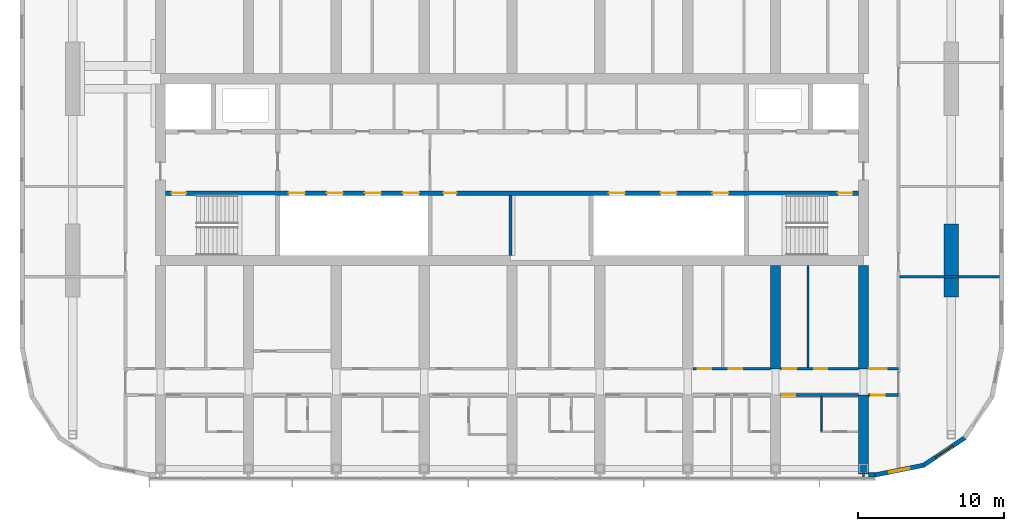
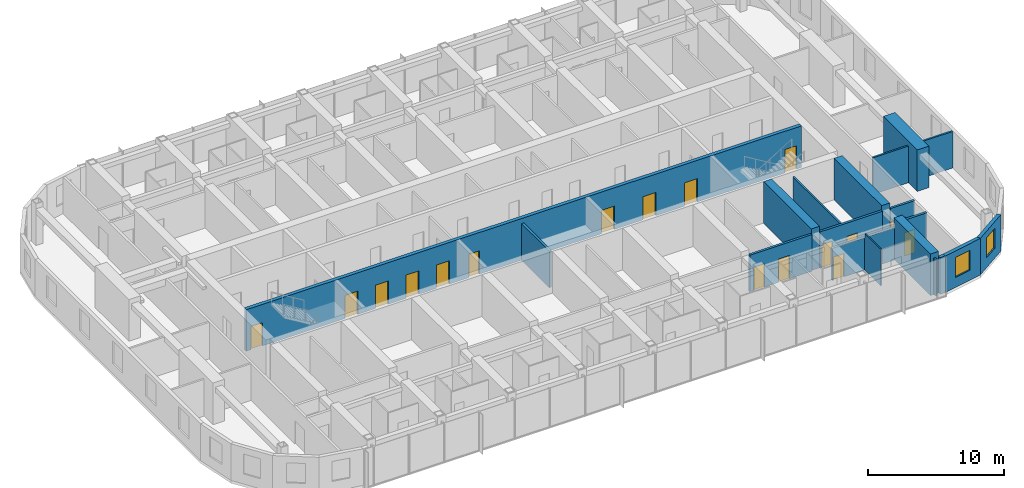
# One storey, part 13 of 23: 18 walls, 17 doors, 2 windows, 19 openings.
"""IFC4 building model written with IfcOpenShell, lengths in metres."""

from ifc_helpers import new_model, si_unit, direction, frame, frame_2d, origin, place, context, subcontext, project, spatial, polyline, rectangle, outline, extrude, material, layer, layer_set, type_object, element, fill, save


model = new_model("IFC4")

# Units and contexts
model_context = context("Model", 3, precision=1e-05, world=origin(), true_north=direction((0.0, 1.0)))
body_context = subcontext(model_context, "Body", "Model", "MODEL_VIEW")
ifc_project = project(units=[si_unit("LENGTHUNIT", "METRE"), si_unit("AREAUNIT", "SQUARE_METRE"), si_unit("VOLUMEUNIT", "CUBIC_METRE"), si_unit("PLANEANGLEUNIT", "RADIAN"), si_unit("MASSUNIT", "GRAM", prefix="KILO")], contexts=[model_context])

# Site, building, storey
site_placement = place(None, origin())
site = spatial("IfcSite", under=ifc_project, at=site_placement, CompositionType="ELEMENT")
building_placement = place(site_placement, origin())
building = spatial("IfcBuilding", under=site, at=building_placement, Name="Orbita Commons", CompositionType="ELEMENT")
storey_placement = place(building_placement, frame((0.0, 0.0, 212.800048828125)))
storey = spatial("IfcBuildingStorey", under=building, at=storey_placement, Name="L52", CompositionType="ELEMENT", Elevation=212.800048828125)

# Wall, openings, doors
ifc_material_1 = material(Name="Concrete C50/60", Category="concrete")
ifc_layer_1 = layer(ifc_material_1, 0.300048828125)
ifc_layer_set_1 = layer_set([ifc_layer_1], Name="Concrete C50/60")
wall_type_1 = type_object("IfcWallType", Name="Core inner wall 300 C50/60", PredefinedType="SHEAR", material=ifc_layer_set_1)
wall_1_placement = place(storey_placement, frame((18.35009765625, 30.39990234375, 0.0), z_axis=(0.0, 0.0, 1.0), x_axis=(1.0, 0.0, 0.0)))
wall_1 = element("IfcWall", 1, at=wall_1_placement, inside=storey, type_object=wall_type_1, Name="Lobby wall south L52", PredefinedType="SHEAR", context=body_context, shape_type="SweptSolid", body=[
    extrude(rectangle(XDim=47.2998046875, YDim=0.300048828125, at=frame_2d((23.64990234375, 0.0))), origin(), (0.0, 0.0, 1.0), 3.75),
])
opening_1_placement = place(wall_1_placement, frame((0.39990234375, 0.0, 0.0)))
opening_1 = element("IfcOpeningElement", 2, at=opening_1_placement, cuts=wall_1, Name="Opening D02", PredefinedType="OPENING", context=body_context, shape_type="SweptSolid", body=[
    extrude(rectangle(XDim=1.0, YDim=2.10009765625, at=frame_2d((0.5, 1.050048828125))), frame((0.0, 0.159912109375, 0.0), z_axis=(0.0, -1.0, 0.0), x_axis=(1.0, 0.0, 0.0)), (0.0, 0.0, 1.0), 0.320068359375),
])
opening_2_placement = place(wall_1_placement, frame((45.89990234375, 0.0, 0.0)))
opening_2 = element("IfcOpeningElement", 3, at=opening_2_placement, cuts=wall_1, Name="Opening D02", PredefinedType="OPENING", context=body_context, shape_type="SweptSolid", body=[
    extrude(rectangle(XDim=1.0, YDim=2.10009765625, at=frame_2d((0.5, 1.050048828125))), frame((0.0, 0.159912109375, 0.0), z_axis=(0.0, -1.0, 0.0), x_axis=(1.0, 0.0, 0.0)), (0.0, 0.0, 1.0), 0.320068359375),
])
opening_3_placement = place(wall_1_placement, frame((8.39990234375, 0.0, 0.0)))
opening_3 = element("IfcOpeningElement", 4, at=opening_3_placement, cuts=wall_1, Name="Opening LD02", PredefinedType="OPENING", context=body_context, shape_type="SweptSolid", body=[
    extrude(rectangle(XDim=1.10009765625, YDim=2.10009765625, at=frame_2d((0.550048828125, 1.050048828125))), frame((0.0, 0.159912109375, 0.0), z_axis=(0.0, -1.0, 0.0), x_axis=(1.0, 0.0, 0.0)), (0.0, 0.0, 1.0), 0.320068359375),
])
opening_4_placement = place(wall_1_placement, frame((11.0, 0.0, 0.0)))
opening_4 = element("IfcOpeningElement", 5, at=opening_4_placement, cuts=wall_1, Name="Opening LD02", PredefinedType="OPENING", context=body_context, shape_type="SweptSolid", body=[
    extrude(rectangle(XDim=1.10009765625, YDim=2.10009765625, at=frame_2d((0.550048828125, 1.050048828125))), frame((0.0, 0.159912109375, 0.0), z_axis=(0.0, -1.0, 0.0), x_axis=(1.0, 0.0, 0.0)), (0.0, 0.0, 1.0), 0.320068359375),
])
opening_5_placement = place(wall_1_placement, frame((13.60009765625, 0.0, 0.0)))
opening_5 = element("IfcOpeningElement", 6, at=opening_5_placement, cuts=wall_1, Name="Opening LD02", PredefinedType="OPENING", context=body_context, shape_type="SweptSolid", body=[
    extrude(rectangle(XDim=1.10009765625, YDim=2.10009765625, at=frame_2d((0.550048828125, 1.050048828125))), frame((0.0, 0.159912109375, 0.0), z_axis=(0.0, -1.0, 0.0), x_axis=(1.0, 0.0, 0.0)), (0.0, 0.0, 1.0), 0.320068359375),
])
opening_6_placement = place(wall_1_placement, frame((16.199951171875, 0.0, 0.0)))
opening_6 = element("IfcOpeningElement", 7, at=opening_6_placement, cuts=wall_1, Name="Opening LD02", PredefinedType="OPENING", context=body_context, shape_type="SweptSolid", body=[
    extrude(rectangle(XDim=1.10009765625, YDim=2.10009765625, at=frame_2d((0.550048828125, 1.050048828125))), frame((0.0, 0.159912109375, 0.0), z_axis=(0.0, -1.0, 0.0), x_axis=(1.0, 0.0, 0.0)), (0.0, 0.0, 1.0), 0.320068359375),
])
opening_7_placement = place(wall_1_placement, frame((18.97509765625, 0.0, 0.0)))
opening_7 = element("IfcOpeningElement", 8, at=opening_7_placement, cuts=wall_1, Name="Opening D05", PredefinedType="OPENING", context=body_context, shape_type="SweptSolid", body=[
    extrude(rectangle(XDim=0.89990234375, YDim=2.10009765625, at=frame_2d((0.449951171875, 1.050048828125))), frame((0.0, 0.159912109375, 0.0), z_axis=(0.0, -1.0, 0.0), x_axis=(1.0, 0.0, 0.0)), (0.0, 0.0, 1.0), 0.320068359375),
])
opening_8_placement = place(wall_1_placement, frame((30.2666015625, 0.0, 0.0)))
opening_8 = element("IfcOpeningElement", 9, at=opening_8_placement, cuts=wall_1, Name="Opening LD02", PredefinedType="OPENING", context=body_context, shape_type="SweptSolid", body=[
    extrude(rectangle(XDim=1.10009765625, YDim=2.10009765625, at=frame_2d((0.550048828125, 1.050048828125))), frame((0.0, 0.159912109375, 0.0), z_axis=(0.0, -1.0, 0.0), x_axis=(1.0, 0.0, 0.0)), (0.0, 0.0, 1.0), 0.320068359375),
])
opening_9_placement = place(wall_1_placement, frame((33.800048828125, 0.0, 0.0)))
opening_9 = element("IfcOpeningElement", 10, at=opening_9_placement, cuts=wall_1, Name="Opening LD02", PredefinedType="OPENING", context=body_context, shape_type="SweptSolid", body=[
    extrude(rectangle(XDim=1.10009765625, YDim=2.10009765625, at=frame_2d((0.550048828125, 1.050048828125))), frame((0.0, 0.159912109375, 0.0), z_axis=(0.0, -1.0, 0.0), x_axis=(1.0, 0.0, 0.0)), (0.0, 0.0, 1.0), 0.320068359375),
])
opening_10_placement = place(wall_1_placement, frame((37.333251953125, 0.0, 0.0)))
opening_10 = element("IfcOpeningElement", 11, at=opening_10_placement, cuts=wall_1, Name="Opening LD02", PredefinedType="OPENING", context=body_context, shape_type="SweptSolid", body=[
    extrude(rectangle(XDim=1.10009765625, YDim=2.10009765625, at=frame_2d((0.550048828125, 1.050048828125))), frame((0.0, 0.159912109375, 0.0), z_axis=(0.0, -1.0, 0.0), x_axis=(1.0, 0.0, 0.0)), (0.0, 0.0, 1.0), 0.320068359375),
])
ifc_material_2 = material(Name="Steel-faced fire door leaf", Category="steel")
door_type_1 = type_object("IfcDoorType", Name="Fire door 90 min 1000x2100", OperationType="SINGLE_SWING_LEFT", PredefinedType="DOOR", material=ifc_material_2)
door_1_placement = place(opening_1_placement, origin())
door_1 = element("IfcDoor", 12, at=door_1_placement, inside=storey, type_object=door_type_1, Name="Stair S1 door", OperationType="SINGLE_SWING_LEFT", OverallHeight=2.10009765625, OverallWidth=1.0, PredefinedType="DOOR", context=body_context, shape_type="SweptSolid", body=[
    extrude(rectangle(XDim=1.0, YDim=2.10009765625, at=frame_2d((0.5, 1.050048828125))), frame((0.0, 0.02490234375, 0.0), z_axis=(0.0, -1.0, 0.0), x_axis=(1.0, 0.0, 0.0)), (0.0, 0.0, 1.0), 0.050048828125),
])
fill(opening_1, door_1)
door_2_placement = place(opening_2_placement, origin())
door_2 = element("IfcDoor", 13, at=door_2_placement, inside=storey, type_object=door_type_1, Name="Stair S2 door", OperationType="SINGLE_SWING_LEFT", OverallHeight=2.10009765625, OverallWidth=1.0, PredefinedType="DOOR", context=body_context, shape_type="SweptSolid", body=[
    extrude(rectangle(XDim=1.0, YDim=2.10009765625, at=frame_2d((0.5, 1.050048828125))), frame((0.0, 0.02490234375, 0.0), z_axis=(0.0, -1.0, 0.0), x_axis=(1.0, 0.0, 0.0)), (0.0, 0.0, 1.0), 0.050048828125),
])
fill(opening_2, door_2)
ifc_material_3 = material(Name="Steel-faced fire door leaf", Category="steel")
door_type_2 = type_object("IfcDoorType", Name="Lift landing door 1100x2100", OperationType="DOUBLE_DOOR_SLIDING", PredefinedType="DOOR", material=ifc_material_3)
door_3_placement = place(opening_3_placement, origin())
door_3 = element("IfcDoor", 14, at=door_3_placement, inside=storey, type_object=door_type_2, Name="Lift P41 landing door", OperationType="DOUBLE_DOOR_SLIDING", OverallHeight=2.10009765625, OverallWidth=1.10009765625, PredefinedType="DOOR", context=body_context, shape_type="SweptSolid", body=[
    extrude(rectangle(XDim=1.10009765625, YDim=2.10009765625, at=frame_2d((0.550048828125, 1.050048828125))), frame((0.0, 0.02490234375, 0.0), z_axis=(0.0, -1.0, 0.0), x_axis=(1.0, 0.0, 0.0)), (0.0, 0.0, 1.0), 0.050048828125),
])
fill(opening_3, door_3)
door_4_placement = place(opening_4_placement, origin())
door_4 = element("IfcDoor", 15, at=door_4_placement, inside=storey, type_object=door_type_2, Name="Lift P42 landing door", OperationType="DOUBLE_DOOR_SLIDING", OverallHeight=2.10009765625, OverallWidth=1.10009765625, PredefinedType="DOOR", context=body_context, shape_type="SweptSolid", body=[
    extrude(rectangle(XDim=1.10009765625, YDim=2.10009765625, at=frame_2d((0.550048828125, 1.050048828125))), frame((0.0, 0.02490234375, 0.0), z_axis=(0.0, -1.0, 0.0), x_axis=(1.0, 0.0, 0.0)), (0.0, 0.0, 1.0), 0.050048828125),
])
fill(opening_4, door_4)
door_5_placement = place(opening_5_placement, origin())
door_5 = element("IfcDoor", 16, at=door_5_placement, inside=storey, type_object=door_type_2, Name="Lift P43 landing door", OperationType="DOUBLE_DOOR_SLIDING", OverallHeight=2.10009765625, OverallWidth=1.10009765625, PredefinedType="DOOR", context=body_context, shape_type="SweptSolid", body=[
    extrude(rectangle(XDim=1.10009765625, YDim=2.10009765625, at=frame_2d((0.550048828125, 1.050048828125))), frame((0.0, 0.02490234375, 0.0), z_axis=(0.0, -1.0, 0.0), x_axis=(1.0, 0.0, 0.0)), (0.0, 0.0, 1.0), 0.050048828125),
])
fill(opening_5, door_5)
door_6_placement = place(opening_6_placement, origin())
door_6 = element("IfcDoor", 17, at=door_6_placement, inside=storey, type_object=door_type_2, Name="Lift P44 landing door", OperationType="DOUBLE_DOOR_SLIDING", OverallHeight=2.10009765625, OverallWidth=1.10009765625, PredefinedType="DOOR", context=body_context, shape_type="SweptSolid", body=[
    extrude(rectangle(XDim=1.10009765625, YDim=2.10009765625, at=frame_2d((0.550048828125, 1.050048828125))), frame((0.0, 0.02490234375, 0.0), z_axis=(0.0, -1.0, 0.0), x_axis=(1.0, 0.0, 0.0)), (0.0, 0.0, 1.0), 0.050048828125),
])
fill(opening_6, door_6)
door_7_placement = place(opening_8_placement, origin())
door_7 = element("IfcDoor", 18, at=door_7_placement, inside=storey, type_object=door_type_2, Name="Lift SV1 landing door", OperationType="DOUBLE_DOOR_SLIDING", OverallHeight=2.10009765625, OverallWidth=1.10009765625, PredefinedType="DOOR", context=body_context, shape_type="SweptSolid", body=[
    extrude(rectangle(XDim=1.10009765625, YDim=2.10009765625, at=frame_2d((0.550048828125, 1.050048828125))), frame((0.0, 0.02490234375, 0.0), z_axis=(0.0, -1.0, 0.0), x_axis=(1.0, 0.0, 0.0)), (0.0, 0.0, 1.0), 0.050048828125),
])
fill(opening_8, door_7)
door_8_placement = place(opening_9_placement, origin())
door_8 = element("IfcDoor", 19, at=door_8_placement, inside=storey, type_object=door_type_2, Name="Lift SV2 landing door", OperationType="DOUBLE_DOOR_SLIDING", OverallHeight=2.10009765625, OverallWidth=1.10009765625, PredefinedType="DOOR", context=body_context, shape_type="SweptSolid", body=[
    extrude(rectangle(XDim=1.10009765625, YDim=2.10009765625, at=frame_2d((0.550048828125, 1.050048828125))), frame((0.0, 0.02490234375, 0.0), z_axis=(0.0, -1.0, 0.0), x_axis=(1.0, 0.0, 0.0)), (0.0, 0.0, 1.0), 0.050048828125),
])
fill(opening_9, door_8)
door_9_placement = place(opening_10_placement, origin())
door_9 = element("IfcDoor", 20, at=door_9_placement, inside=storey, type_object=door_type_2, Name="Lift SV3 landing door", OperationType="DOUBLE_DOOR_SLIDING", OverallHeight=2.10009765625, OverallWidth=1.10009765625, PredefinedType="DOOR", context=body_context, shape_type="SweptSolid", body=[
    extrude(rectangle(XDim=1.10009765625, YDim=2.10009765625, at=frame_2d((0.550048828125, 1.050048828125))), frame((0.0, 0.02490234375, 0.0), z_axis=(0.0, -1.0, 0.0), x_axis=(1.0, 0.0, 0.0)), (0.0, 0.0, 1.0), 0.050048828125),
])
fill(opening_10, door_9)
ifc_material_4 = material(Name="Steel-faced fire door leaf", Category="steel")
door_type_3 = type_object("IfcDoorType", Name="Service door 20 min 900x2100", OperationType="SINGLE_SWING_LEFT", PredefinedType="DOOR", material=ifc_material_4)
door_10_placement = place(opening_7_placement, origin())
door_10 = element("IfcDoor", 21, at=door_10_placement, inside=storey, type_object=door_type_3, Name="Linen store door", OperationType="SINGLE_SWING_LEFT", OverallHeight=2.10009765625, OverallWidth=0.89990234375, PredefinedType="DOOR", context=body_context, shape_type="SweptSolid", body=[
    extrude(rectangle(XDim=0.89990234375, YDim=2.10009765625, at=frame_2d((0.449951171875, 1.050048828125))), frame((0.0, 0.02490234375, 0.0), z_axis=(0.0, -1.0, 0.0), x_axis=(1.0, 0.0, 0.0)), (0.0, 0.0, 1.0), 0.050048828125),
])
fill(opening_7, door_10)

# Wall, opening, door
ifc_material_5 = material(Name="Concrete blockwork", Category="masonry")
ifc_layer_2 = layer(ifc_material_5, 0.199951171875)
ifc_layer_set_2 = layer_set([ifc_layer_2], Name="Concrete blockwork")
wall_type_2 = type_object("IfcWallType", Name="Corridor wall 200 blockwork", PredefinedType="SOLIDWALL", material=ifc_layer_set_2)
wall_2_placement = place(storey_placement, frame((60.35009765625, 16.60009765625, 0.0), z_axis=(0.0, 0.0, 1.0), x_axis=(1.0, 0.0, 0.0)))
wall_2 = element("IfcWall", 22, at=wall_2_placement, inside=storey, type_object=wall_type_2, Name="Corridor wall 200 blockwork L52", PredefinedType="SOLIDWALL", context=body_context, shape_type="SweptSolid", body=[
    extrude(outline(polyline([(0.0, 0.0), (5.2998046875, 0.0), (5.300048828125, 2.89990234375), (0.0, 2.89990234375), (0.0, 0.0)])), frame((0.0, 0.10009765625, 0.0), z_axis=(0.0, -1.0, 0.0), x_axis=(1.0, 0.0, 0.0)), (0.0, 0.0, 1.0), 0.199951171875),
])
opening_11_placement = place(wall_2_placement, frame((0.10009765625, 0.0, 0.0)))
opening_11 = element("IfcOpeningElement", 23, at=opening_11_placement, cuts=wall_2, Name="Opening D11", PredefinedType="OPENING", context=body_context, shape_type="SweptSolid", body=[
    extrude(rectangle(XDim=0.89990234375, YDim=2.10009765625, at=frame_2d((0.449951171875, 1.050048828125))), frame((0.0, 0.10986328125, 0.0), z_axis=(0.0, -1.0, 0.0), x_axis=(1.0, 0.0, 0.0)), (0.0, 0.0, 1.0), 0.219970703125),
])
ifc_material_6 = material(Name="Steel-faced fire door leaf", Category="steel")
door_type_4 = type_object("IfcDoorType", Name="Corridor door 20 min 900x2100", OperationType="SINGLE_SWING_LEFT", PredefinedType="DOOR", material=ifc_material_6)
door_11_placement = place(opening_11_placement, origin())
door_11 = element("IfcDoor", 24, at=door_11_placement, inside=storey, type_object=door_type_4, Name="Studio apartment with kitchenette L52-S14 door", OperationType="SINGLE_SWING_LEFT", OverallHeight=2.10009765625, OverallWidth=0.89990234375, PredefinedType="DOOR", context=body_context, shape_type="SweptSolid", body=[
    extrude(rectangle(XDim=0.89990234375, YDim=2.10009765625, at=frame_2d((0.449951171875, 1.050048828125))), frame((0.0, 0.02490234375, 0.0), z_axis=(0.0, -1.0, 0.0), x_axis=(1.0, 0.0, 0.0)), (0.0, 0.0, 1.0), 0.050048828125),
])
fill(opening_11, door_11)

wall_3_placement = place(storey_placement, frame((66.35009765625, 16.60009765625, 0.0), z_axis=(0.0, 0.0, 1.0), x_axis=(1.0, 0.0, 0.0)))
wall_3 = element("IfcWall", 25, at=wall_3_placement, inside=storey, type_object=wall_type_2, Name="Corridor wall 200 blockwork L52", PredefinedType="SOLIDWALL", context=body_context, shape_type="SweptSolid", body=[
    extrude(rectangle(XDim=2.0498046875, YDim=0.199951171875, at=frame_2d((1.02490234375, 0.0))), origin(), (0.0, 0.0, 1.0), 3.300048828125),
])
opening_12_placement = place(wall_3_placement, frame((0.199951171875, 0.0, 0.0)))
opening_12 = element("IfcOpeningElement", 26, at=opening_12_placement, cuts=wall_3, Name="Opening D05", PredefinedType="OPENING", context=body_context, shape_type="SweptSolid", body=[
    extrude(rectangle(XDim=0.89990234375, YDim=2.10009765625, at=frame_2d((0.449951171875, 1.050048828125))), frame((0.0, 0.10986328125, 0.0), z_axis=(0.0, -1.0, 0.0), x_axis=(1.0, 0.0, 0.0)), (0.0, 0.0, 1.0), 0.219970703125),
])
door_12_placement = place(opening_12_placement, origin())
door_12 = element("IfcDoor", 27, at=door_12_placement, inside=storey, type_object=door_type_3, Name="Linen store L52-KES door", OperationType="SINGLE_SWING_LEFT", OverallHeight=2.10009765625, OverallWidth=0.89990234375, PredefinedType="DOOR", context=body_context, shape_type="SweptSolid", body=[
    extrude(rectangle(XDim=0.89990234375, YDim=2.10009765625, at=frame_2d((0.449951171875, 1.050048828125))), frame((0.0, 0.02490234375, 0.0), z_axis=(0.0, -1.0, 0.0), x_axis=(1.0, 0.0, 0.0)), (0.0, 0.0, 1.0), 0.050048828125),
])
fill(opening_12, door_12)

# Wall, openings, doors
ifc_material_7 = material(Name="Hollow concrete block 200", Category="concrete")
ifc_layer_3 = layer(ifc_material_7, 0.199951171875)
ifc_layer_set_3 = layer_set([ifc_layer_3], Name="Hollow concrete block 200")
wall_type_3 = type_object("IfcWallType", Name="Corridor wall 200 hollow concrete block", PredefinedType="SOLIDWALL", material=ifc_layer_set_3)
wall_4_placement = place(storey_placement, frame((54.35009765625, 18.39990234375, 0.0), z_axis=(0.0, 0.0, 1.0), x_axis=(1.0, 0.0, 0.0)))
wall_4 = element("IfcWall", 28, at=wall_4_placement, inside=storey, type_object=wall_type_3, Name="Corridor wall 200 hollow concrete block L52", PredefinedType="SOLIDWALL", context=body_context, shape_type="SweptSolid", body=[
    extrude(rectangle(XDim=5.2998046875, YDim=0.199951171875, at=frame_2d((2.64990234375, 0.0))), origin(), (0.0, 0.0, 1.0), 3.300048828125),
])
opening_13_placement = place(wall_4_placement, frame((0.35009765625, 0.0, 0.0)))
opening_13 = element("IfcOpeningElement", 29, at=opening_13_placement, cuts=wall_4, Name="Opening D11", PredefinedType="OPENING", context=body_context, shape_type="SweptSolid", body=[
    extrude(rectangle(XDim=0.89990234375, YDim=2.10009765625, at=frame_2d((0.449951171875, 1.050048828125))), frame((0.0, 0.10986328125, 0.0), z_axis=(0.0, -1.0, 0.0), x_axis=(1.0, 0.0, 0.0)), (0.0, 0.0, 1.0), 0.219970703125),
])
opening_14_placement = place(wall_4_placement, frame((2.465087890625, 0.0, 0.0)))
opening_14 = element("IfcOpeningElement", 30, at=opening_14_placement, cuts=wall_4, Name="Opening D11", PredefinedType="OPENING", context=body_context, shape_type="SweptSolid", body=[
    extrude(rectangle(XDim=0.89990234375, YDim=2.10009765625, at=frame_2d((0.449951171875, 1.050048828125))), frame((0.0, 0.10986328125, 0.0), z_axis=(0.0, -1.0, 0.0), x_axis=(1.0, 0.0, 0.0)), (0.0, 0.0, 1.0), 0.219970703125),
])
door_13_placement = place(opening_13_placement, origin())
door_13 = element("IfcDoor", 31, at=door_13_placement, inside=storey, type_object=door_type_4, Name="Luggage store L52-BDS54n door", OperationType="SINGLE_SWING_LEFT", OverallHeight=2.10009765625, OverallWidth=0.89990234375, PredefinedType="DOOR", context=body_context, shape_type="SweptSolid", body=[
    extrude(rectangle(XDim=0.89990234375, YDim=2.10009765625, at=frame_2d((0.449951171875, 1.050048828125))), frame((0.0, 0.02490234375, 0.0), z_axis=(0.0, -1.0, 0.0), x_axis=(1.0, 0.0, 0.0)), (0.0, 0.0, 1.0), 0.050048828125),
])
fill(opening_13, door_13)
door_14_placement = place(opening_14_placement, origin())
door_14 = element("IfcDoor", 32, at=door_14_placement, inside=storey, type_object=door_type_4, Name="Ventilation plant room south L52-BDS54 door", OperationType="SINGLE_SWING_LEFT", OverallHeight=2.10009765625, OverallWidth=0.89990234375, PredefinedType="DOOR", context=body_context, shape_type="SweptSolid", body=[
    extrude(rectangle(XDim=0.89990234375, YDim=2.10009765625, at=frame_2d((0.449951171875, 1.050048828125))), frame((0.0, 0.02490234375, 0.0), z_axis=(0.0, -1.0, 0.0), x_axis=(1.0, 0.0, 0.0)), (0.0, 0.0, 1.0), 0.050048828125),
])
fill(opening_14, door_14)

wall_5_placement = place(storey_placement, frame((60.35009765625, 18.39990234375, 0.0), z_axis=(0.0, 0.0, 1.0), x_axis=(1.0, 0.0, 0.0)))
wall_5 = element("IfcWall", 33, at=wall_5_placement, inside=storey, type_object=wall_type_3, Name="Corridor wall 200 hollow concrete block L52", PredefinedType="SOLIDWALL", context=body_context, shape_type="SweptSolid", body=[
    extrude(rectangle(XDim=5.2998046875, YDim=0.199951171875, at=frame_2d((2.64990234375, 0.0))), origin(), (0.0, 0.0, 1.0), 3.300048828125),
])
opening_15_placement = place(wall_5_placement, frame((0.14990234375, 0.0, 0.0)))
opening_15 = element("IfcOpeningElement", 34, at=opening_15_placement, cuts=wall_5, Name="Opening D11", PredefinedType="OPENING", context=body_context, shape_type="SweptSolid", body=[
    extrude(rectangle(XDim=0.89990234375, YDim=2.10009765625, at=frame_2d((0.449951171875, 1.050048828125))), frame((0.0, 0.10986328125, 0.0), z_axis=(0.0, -1.0, 0.0), x_axis=(1.0, 0.0, 0.0)), (0.0, 0.0, 1.0), 0.219970703125),
])
opening_16_placement = place(wall_5_placement, frame((2.2900390625, 0.0, 0.0)))
opening_16 = element("IfcOpeningElement", 35, at=opening_16_placement, cuts=wall_5, Name="Opening D11", PredefinedType="OPENING", context=body_context, shape_type="SweptSolid", body=[
    extrude(rectangle(XDim=0.89990234375, YDim=2.10009765625, at=frame_2d((0.449951171875, 1.050048828125))), frame((0.0, 0.10986328125, 0.0), z_axis=(0.0, -1.0, 0.0), x_axis=(1.0, 0.0, 0.0)), (0.0, 0.0, 1.0), 0.219970703125),
])
door_15_placement = place(opening_15_placement, origin())
door_15 = element("IfcDoor", 36, at=door_15_placement, inside=storey, type_object=door_type_4, Name="Battery and UPS room L52-BDS60n door", OperationType="SINGLE_SWING_LEFT", OverallHeight=2.10009765625, OverallWidth=0.89990234375, PredefinedType="DOOR", context=body_context, shape_type="SweptSolid", body=[
    extrude(rectangle(XDim=0.89990234375, YDim=2.10009765625, at=frame_2d((0.449951171875, 1.050048828125))), frame((0.0, 0.02490234375, 0.0), z_axis=(0.0, -1.0, 0.0), x_axis=(1.0, 0.0, 0.0)), (0.0, 0.0, 1.0), 0.050048828125),
])
fill(opening_15, door_15)
door_16_placement = place(opening_16_placement, origin())
door_16 = element("IfcDoor", 37, at=door_16_placement, inside=storey, type_object=door_type_4, Name="Faculty pantry L52-BDS60 door", OperationType="SINGLE_SWING_LEFT", OverallHeight=2.10009765625, OverallWidth=0.89990234375, PredefinedType="DOOR", context=body_context, shape_type="SweptSolid", body=[
    extrude(rectangle(XDim=0.89990234375, YDim=2.10009765625, at=frame_2d((0.449951171875, 1.050048828125))), frame((0.0, 0.02490234375, 0.0), z_axis=(0.0, -1.0, 0.0), x_axis=(1.0, 0.0, 0.0)), (0.0, 0.0, 1.0), 0.050048828125),
])
fill(opening_16, door_16)

# Wall, opening, door
wall_6_placement = place(storey_placement, frame((66.35009765625, 18.39990234375, 0.0), z_axis=(0.0, 0.0, 1.0), x_axis=(1.0, 0.0, 0.0)))
wall_6 = element("IfcWall", 38, at=wall_6_placement, inside=storey, type_object=wall_type_3, Name="Corridor wall 200 hollow concrete block L52", PredefinedType="SOLIDWALL", context=body_context, shape_type="SweptSolid", body=[
    extrude(rectangle(XDim=2.0498046875, YDim=0.199951171875, at=frame_2d((1.02490234375, 0.0))), origin(), (0.0, 0.0, 1.0), 3.300048828125),
])
opening_17_placement = place(wall_6_placement, frame((0.050048828125, 0.0, 0.0)))
opening_17 = element("IfcOpeningElement", 39, at=opening_17_placement, cuts=wall_6, Name="Opening D12", PredefinedType="OPENING", context=body_context, shape_type="SweptSolid", body=[
    extrude(rectangle(XDim=1.199951171875, YDim=2.10009765625, at=frame_2d((0.60009765625, 1.050048828125))), frame((0.0, 0.10986328125, 0.0), z_axis=(0.0, -1.0, 0.0), x_axis=(1.0, 0.0, 0.0)), (0.0, 0.0, 1.0), 0.219970703125),
])
ifc_material_8 = material(Name="Steel-faced fire door leaf", Category="steel")
door_type_5 = type_object("IfcDoorType", Name="Double corridor door 20 min 1200x2100", OperationType="DOUBLE_DOOR_SINGLE_SWING", PredefinedType="DOOR", material=ifc_material_8)
door_17_placement = place(opening_17_placement, origin())
door_17 = element("IfcDoor", 40, at=door_17_placement, inside=storey, type_object=door_type_5, Name="Cross corridor doors", OperationType="DOUBLE_DOOR_SINGLE_SWING", OverallHeight=2.10009765625, OverallWidth=1.199951171875, PredefinedType="DOOR", context=body_context, shape_type="SweptSolid", body=[
    extrude(rectangle(XDim=1.199951171875, YDim=2.10009765625, at=frame_2d((0.60009765625, 1.050048828125))), frame((0.0, 0.02490234375, 0.0), z_axis=(0.0, -1.0, 0.0), x_axis=(1.0, 0.0, 0.0)), (0.0, 0.0, 1.0), 0.050048828125),
])
fill(opening_17, door_17)

# Walls
ifc_material_9 = material(Name="Concrete C50/60", Category="concrete")
ifc_layer_4 = layer(ifc_material_9, 0.699951171875)
ifc_layer_set_4 = layer_set([ifc_layer_4], Name="Concrete C50/60")
wall_type_4 = type_object("IfcWallType", Name="Cross wall 700 C50/60", PredefinedType="SHEAR", material=ifc_layer_set_4)
wall_7_placement = place(storey_placement, frame((60.0, 18.39990234375, 0.0), z_axis=(0.0, 0.0, 1.0), x_axis=(0.0, 1.0, 0.0)))
element("IfcWall", 41, at=wall_7_placement, inside=storey, type_object=wall_type_4, Name="Cross wall 11 south inner L52", PredefinedType="SHEAR", context=body_context, shape_type="SweptSolid", body=[
    extrude(rectangle(XDim=7.050048828125, YDim=0.699951171875, at=frame_2d((3.52490234375, 0.0))), origin(), (0.0, 0.0, 1.0), 3.75),
])
wall_8_placement = place(storey_placement, frame((66.0, 11.199951171875, 0.0), z_axis=(0.0, 0.0, 1.0), x_axis=(0.0, 1.0, 0.0)))
element("IfcWall", 42, at=wall_8_placement, inside=storey, type_object=wall_type_4, Name="Cross wall 12 south outer L52", PredefinedType="SHEAR", context=body_context, shape_type="SweptSolid", body=[
    extrude(rectangle(XDim=5.400146484375, YDim=0.699951171875, at=frame_2d((2.7001953125, 0.0))), origin(), (0.0, 0.0, 1.0), 3.75),
])
wall_9_placement = place(storey_placement, frame((66.0, 18.39990234375, 0.0), z_axis=(0.0, 0.0, 1.0), x_axis=(0.0, 1.0, 0.0)))
element("IfcWall", 43, at=wall_9_placement, inside=storey, type_object=wall_type_4, Name="Cross wall 12 south inner L52", PredefinedType="SHEAR", context=body_context, shape_type="SweptSolid", body=[
    extrude(rectangle(XDim=7.050048828125, YDim=0.699951171875, at=frame_2d((3.52490234375, 0.0))), origin(), (0.0, 0.0, 1.0), 3.75),
])
ifc_material_10 = material(Name="Moisture-resistant plasterboard on steel studs", Category="steel")
ifc_layer_5 = layer(ifc_material_10, 0.10009765625)
ifc_layer_set_5 = layer_set([ifc_layer_5], Name="Moisture-resistant plasterboard on steel studs")
wall_type_5 = type_object("IfcWallType", Name="En-suite partition 100", PredefinedType="PARTITIONING", material=ifc_layer_set_5)
wall_10_placement = place(storey_placement, frame((63.14990234375, 14.14990234375, 0.0), z_axis=(0.0, 0.0, 1.0), x_axis=(0.0, 1.0, 0.0)))
element("IfcWall", 44, at=wall_10_placement, inside=storey, type_object=wall_type_5, Name="En-suite partition 100 L52", PredefinedType="PARTITIONING", context=body_context, shape_type="SweptSolid", body=[
    extrude(outline(polyline([(0.0, 0.0), (2.35009765625, 0.0), (2.35009765625, 2.89990234375), (2.302001953125, 2.89990234375), (2.300048828125, 3.300048828125), (0.0, 3.300048828125), (0.0, 0.0)])), frame((0.0, 0.050048828125, 0.0), z_axis=(0.0, -1.0, 0.0), x_axis=(1.0, 0.0, 0.0)), (0.0, 0.0, 1.0), 0.10009765625),
])
ifc_material_11 = material(Name="Concrete C50/60", Category="concrete")
ifc_layer_6 = layer(ifc_material_11, 1.0)
ifc_layer_set_6 = layer_set([ifc_layer_6], Name="Concrete C50/60")
wall_type_6 = type_object("IfcWallType", Name="End pier 1000x5000 C50/60", PredefinedType="SHEAR", material=ifc_layer_set_6)
wall_11_placement = place(storey_placement, frame((72.0, 23.300048828125, 0.0), z_axis=(0.0, 0.0, 1.0), x_axis=(0.0, 1.0, 0.0)))
element("IfcWall", 45, at=wall_11_placement, inside=storey, type_object=wall_type_6, Name="End pier 13/C L52", PredefinedType="SHEAR", context=body_context, shape_type="SweptSolid", body=[
    extrude(rectangle(XDim=5.0, YDim=1.0, at=frame_2d((2.5, 0.0))), origin(), (0.0, 0.0, 1.0), 3.75),
])
ifc_material_12 = material(Name="Gypsum plasterboard on steel studs", Category="steel")
ifc_layer_7 = layer(ifc_material_12, 0.14990234375)
ifc_layer_set_7 = layer_set([ifc_layer_7], Name="Gypsum plasterboard on steel studs")
wall_type_7 = type_object("IfcWallType", Name="Partition 150 plasterboard", PredefinedType="PARTITIONING", material=ifc_layer_set_7)
wall_12_placement = place(storey_placement, frame((62.215087890625, 18.5, 0.0), z_axis=(0.0, 0.0, 1.0), x_axis=(0.0, 1.0, 0.0)))
element("IfcWall", 46, at=wall_12_placement, inside=storey, type_object=wall_type_7, Name="Partition 150 plasterboard L52", PredefinedType="PARTITIONING", context=body_context, shape_type="SweptSolid", body=[
    extrude(rectangle(XDim=6.949951171875, YDim=0.14990234375, at=frame_2d((3.47509765625, 0.0))), origin(), (0.0, 0.0, 1.0), 3.300048828125),
])
wall_13_placement = place(storey_placement, frame((68.47509765625, 24.679931640625, 0.0), z_axis=(0.0, 0.0, 1.0), x_axis=(1.0, 0.0, 0.0)))
element("IfcWall", 47, at=wall_13_placement, inside=storey, type_object=wall_type_7, Name="Partition 150 plasterboard L52", PredefinedType="PARTITIONING", context=body_context, shape_type="SweptSolid", body=[
    extrude(rectangle(XDim=6.81982421875, YDim=0.14990234375, at=frame_2d((3.409912109375, 0.0))), origin(), (0.0, 0.0, 1.0), 3.300048828125),
])
wall_14_placement = place(storey_placement, frame((66.0, 11.300048828125, 0.0), z_axis=(0.0, 0.0, 1.0), x_axis=(0.0, -1.0, 0.0)))
element("IfcWall", 48, at=wall_14_placement, inside=storey, type_object=wall_type_7, Name="Partition 150 plasterboard L52", PredefinedType="PARTITIONING", context=body_context, shape_type="SweptSolid", body=[
    extrude(rectangle(XDim=0.2900390625, YDim=0.14990234375, at=frame_2d((0.14501953125, 0.0))), origin(), (0.0, 0.0, 1.0), 3.300048828125),
])

# Wall, opening, window
ifc_material_13 = material(Name="Precast concrete C40/50, white board-marked finish", Category="concrete")
ifc_layer_8 = layer(ifc_material_13, 0.300048828125)
ifc_layer_set_8 = layer_set([ifc_layer_8], Name="Precast concrete C40/50, white board-marked finish")
wall_type_8 = type_object("IfcWallType", Name="Precast concrete end shield 300", PredefinedType="SOLIDWALL", material=ifc_layer_set_8)
wall_15_placement = place(storey_placement, frame((66.800048828125, 11.14990234375, 0.0), z_axis=(0.0, 0.0, 1.0), x_axis=(0.98078325777, 0.195100490205, 0.0)))
wall_15 = element("IfcWall", 49, at=wall_15_placement, inside=storey, type_object=wall_type_8, Name="End shield SE chord 1 L52", PredefinedType="SOLIDWALL", context=body_context, shape_type="SweptSolid", body=[
    extrude(outline(polyline([(-0.02978515625, -0.14990234375), (3.40478515625, -0.14990234375), (3.34521484375, 0.14990234375), (0.02978515625, 0.14990234375), (-0.02978515625, -0.14990234375)])), origin(), (0.0, 0.0, 1.0), 3.300048828125),
])
opening_18_placement = place(wall_15_placement, frame((0.987548828125, 0.0, 0.89990234375)))
opening_18 = element("IfcOpeningElement", 50, at=opening_18_placement, cuts=wall_15, Name="Opening W02", PredefinedType="OPENING", context=body_context, shape_type="SweptSolid", body=[
    extrude(rectangle(XDim=1.39990234375, YDim=1.800048828125, at=frame_2d((0.699951171875, 0.89990234375))), frame((0.0, 0.159912109375, 0.0), z_axis=(0.0, -1.0, 0.0), x_axis=(1.0, 0.0, 0.0)), (0.0, 0.0, 1.0), 0.320068359375),
])
ifc_material_14 = material(Name="Aluminium frame, clear double glazing", Category="aluminium")
window_type = type_object("IfcWindowType", Name="Deep-set window 1400x1800", PartitioningType="SINGLE_PANEL", PredefinedType="WINDOW", material=ifc_material_14)
window_1_placement = place(opening_18_placement, origin())
window_1 = element("IfcWindow", 51, at=window_1_placement, inside=storey, type_object=window_type, Name="Window L52-SE0", OverallHeight=1.800048828125, OverallWidth=1.39990234375, PartitioningType="SINGLE_PANEL", PredefinedType="WINDOW", context=body_context, shape_type="SweptSolid", body=[
    extrude(rectangle(XDim=1.39990234375, YDim=1.800048828125, at=frame_2d((0.699951171875, 0.89990234375))), frame((0.0, 0.030029296875, 0.0), z_axis=(0.0, -1.0, 0.0), x_axis=(1.0, 0.0, 0.0)), (0.0, 0.0, 1.0), 0.06005859375),
])
fill(opening_18, window_1)

wall_16_placement = place(storey_placement, frame((70.110107421875, 11.808349609375, 0.0), z_axis=(0.0, 0.0, 1.0), x_axis=(0.831460037396, 0.555584562613, 0.0)))
wall_16 = element("IfcWall", 52, at=wall_16_placement, inside=storey, type_object=wall_type_8, Name="End shield SE chord 2 L52", PredefinedType="SOLIDWALL", context=body_context, shape_type="SweptSolid", body=[
    extrude(outline(polyline([(-0.02978515625, -0.14990234375), (3.405029296875, -0.14990234375), (3.345458984375, 0.14990234375), (0.02978515625, 0.14990234375), (-0.02978515625, -0.14990234375)])), origin(), (0.0, 0.0, 1.0), 3.300048828125),
])
opening_19_placement = place(wall_16_placement, frame((0.987548828125, 0.0, 0.89990234375)))
opening_19 = element("IfcOpeningElement", 53, at=opening_19_placement, cuts=wall_16, Name="Opening W02", PredefinedType="OPENING", context=body_context, shape_type="SweptSolid", body=[
    extrude(rectangle(XDim=1.39990234375, YDim=1.800048828125, at=frame_2d((0.699951171875, 0.89990234375))), frame((0.0, 0.159912109375, 0.0), z_axis=(0.0, -1.0, 0.0), x_axis=(1.0, 0.0, 0.0)), (0.0, 0.0, 1.0), 0.320068359375),
])
window_2_placement = place(opening_19_placement, origin())
window_2 = element("IfcWindow", 54, at=window_2_placement, inside=storey, type_object=window_type, Name="Window L52-SE1", OverallHeight=1.800048828125, OverallWidth=1.39990234375, PartitioningType="SINGLE_PANEL", PredefinedType="WINDOW", context=body_context, shape_type="SweptSolid", body=[
    extrude(rectangle(XDim=1.39990234375, YDim=1.800048828125, at=frame_2d((0.699951171875, 0.89990234375))), frame((0.0, 0.030029296875, 0.0), z_axis=(0.0, -1.0, 0.0), x_axis=(1.0, 0.0, 0.0)), (0.0, 0.0, 1.0), 0.06005859375),
])
fill(opening_19, window_2)

# Walls
wall_17_placement = place(storey_placement, frame((66.800048828125, 11.14990234375, 0.0), z_axis=(0.0, 0.0, 1.0), x_axis=(-1.0, 0.0, 0.0)))
element("IfcWall", 55, at=wall_17_placement, inside=storey, type_object=wall_type_8, Name="End shield SE closer L52", PredefinedType="SOLIDWALL", context=body_context, shape_type="SweptSolid", body=[
    extrude(rectangle(XDim=0.449951171875, YDim=0.300048828125, at=frame_2d((0.22509765625, 0.0))), origin(), (0.0, 0.0, 1.0), 3.300048828125),
])
ifc_material_15 = material(Name="Concrete blockwork, fully filled", Category="masonry")
ifc_layer_9 = layer(ifc_material_15, 0.199951171875)
ifc_layer_set_9 = layer_set([ifc_layer_9], Name="Concrete blockwork, fully filled")
wall_type_9 = type_object("IfcWallType", Name="Shaft partition 200 blockwork", PredefinedType="SOLIDWALL", material=ifc_layer_set_9)
wall_18_placement = place(storey_placement, frame((41.89990234375, 26.14990234375, 0.0), z_axis=(0.0, 0.0, 1.0), x_axis=(0.0, 1.0, 0.0)))
element("IfcWall", 56, at=wall_18_placement, inside=storey, type_object=wall_type_9, Name="Shaft partition 200 blockwork L52", PredefinedType="SOLIDWALL", context=body_context, shape_type="SweptSolid", body=[
    extrude(rectangle(XDim=4.10009765625, YDim=0.199951171875, at=frame_2d((2.050048828125, 0.0))), origin(), (0.0, 0.0, 1.0), 3.300048828125),
])

save(model, "model.ifc")
